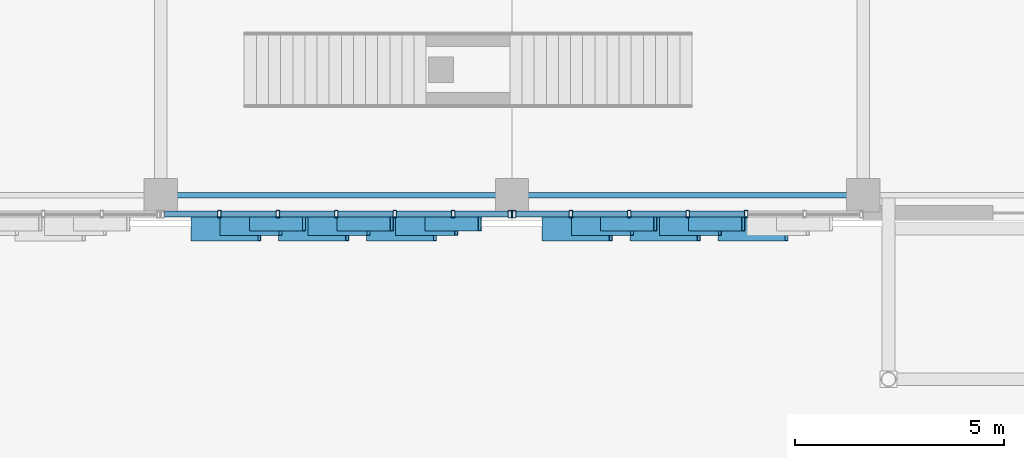
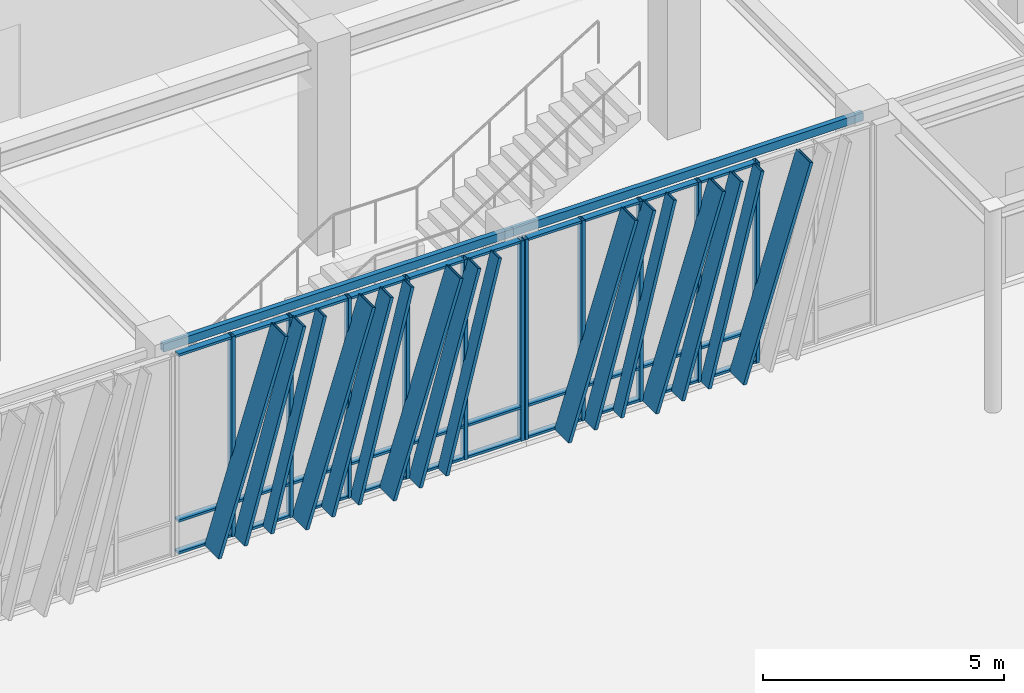
# One storey, part 11 of 122: 57 members, 2 beams, 2 elements without a shape of their own.
"""IFC4 building model written with IfcOpenShell, lengths in metres."""

from ifc_helpers import new_model, si_unit, direction, frame, origin, origin_2d, place, context, subcontext, project, spatial, hollow_rectangle, extrude, material, layer, layer_set, material_profile, profile_set, type_object, element, aggregate, save


model = new_model("IFC4")

# Units and contexts
model_context = context("Model", 3, precision=1e-05, world=origin(), true_north=direction((0.0, 1.0)))
body_context = subcontext(model_context, "Body", "Model", "MODEL_VIEW")
ifc_project = project(units=[si_unit("LENGTHUNIT", "METRE"), si_unit("AREAUNIT", "SQUARE_METRE"), si_unit("VOLUMEUNIT", "CUBIC_METRE"), si_unit("PLANEANGLEUNIT", "RADIAN"), si_unit("MASSUNIT", "GRAM", prefix="KILO")], contexts=[model_context])

# Site, building, storey
site_placement = place(None, origin())
site = spatial("IfcSite", under=ifc_project, at=site_placement, CompositionType="ELEMENT")
building_placement = place(site_placement, origin())
building = spatial("IfcBuilding", under=site, at=building_placement, Name="Zayran Congress Hotel", CompositionType="ELEMENT")
storey_placement = place(building_placement, origin())
storey = spatial("IfcBuildingStorey", under=building, at=storey_placement, Name="L00", CompositionType="ELEMENT", Elevation=0.0)

# Beams
ifc_material_1 = material(Name="Steel S355", Category="steel")
ifc_material_profile_1 = material_profile(ifc_material_1, hollow_rectangle(XDim=0.1201171875, YDim=0.199951171875, WallThickness=0.008056640625, at=origin_2d()), Name="RHS 200x120x8")
ifc_profile_set_1 = profile_set([ifc_material_profile_1], Name="Steel S355")
beam_type = type_object("IfcBeamType", Name="TP-SP-02", PredefinedType="SPANDREL", material=ifc_profile_set_1)
beam_1_placement = place(storey_placement, frame((42.0, 68.199951171875, 4.97998046875), z_axis=(1.0, 0.0, 0.0), x_axis=(0.0, 1.0, 0.0)))
element("IfcBeam", 1, at=beam_1_placement, inside=storey, type_object=beam_type, Name="BM-V1-L00-0393", PredefinedType="SPANDREL", context=body_context, shape_type="SweptSolid", body=[
    extrude(hollow_rectangle(XDim=0.1201171875, YDim=0.199951171875, WallThickness=0.008056640625, at=origin_2d()), origin(), (0.0, 0.0, 1.0), 8.39990234375),
])
beam_2_placement = place(storey_placement, frame((50.39990234375, 68.199951171875, 4.97998046875), z_axis=(1.0, 0.0, 0.0), x_axis=(0.0, 1.0, 0.0)))
element("IfcBeam", 2, at=beam_2_placement, inside=storey, type_object=beam_type, Name="BM-V1-L00-0394", PredefinedType="SPANDREL", context=body_context, shape_type="SweptSolid", body=[
    extrude(hollow_rectangle(XDim=0.1201171875, YDim=0.199951171875, WallThickness=0.008056640625, at=origin_2d()), origin(), (0.0, 0.0, 1.0), 8.400146484375),
])

# Curtain wall, members
ifc_material_2 = material(Name="Anodised aluminium and low-E insulated glass", Category="aluminium")
ifc_layer_1 = layer(ifc_material_2, 0.179931640625)
ifc_layer_set_1 = layer_set([ifc_layer_1], Name="Anodised aluminium and low-E insulated glass")
curtain_wall_type_1 = type_object("IfcCurtainWallType", Name="CW-V1S-L00-CW-12-8380-5080", PredefinedType="USERDEFINED", material=ifc_layer_set_1)
curtain_wall_1_placement = place(storey_placement, origin())
curtain_wall_1 = element("IfcCurtainWall", 3, at=curtain_wall_1_placement, inside=storey, type_object=curtain_wall_type_1, Name="CW-V1S-L00-4", ObjectType="CURTAIN WALL", PredefinedType="USERDEFINED")
ifc_material_3 = material(Name="Anodised aluminium framing", Category="aluminium")
ifc_material_profile_2 = material_profile(ifc_material_3, hollow_rectangle(XDim=0.080078125, YDim=0.179931640625, WallThickness=0.0048828125, at=origin_2d()), Name="RHS 180x80x5")
ifc_profile_set_2 = profile_set([ifc_material_profile_2], Name="Anodised aluminium framing")
member_type_1 = type_object("IfcMemberType", Name="TP-CWM-01", PredefinedType="MULLION", material=ifc_profile_set_2)
member_1_placement = place(storey_placement, frame((43.40673828125, 67.75, 0.0), z_axis=(0.0, 0.0, 1.0), x_axis=(1.0, 0.0, 0.0)))
member_1 = element("IfcMember", 4, at=member_1_placement, type_object=member_type_1, Name="CW-V1S-L00-4-M01", PredefinedType="MULLION", context=body_context, shape_type="SweptSolid", body=[
    extrude(hollow_rectangle(XDim=0.080078125, YDim=0.179931640625, WallThickness=0.0048828125, at=origin_2d()), origin(), (0.0, 0.0, 1.0), 5.080078125),
])
member_2_placement = place(storey_placement, frame((44.80322265625, 67.75, 0.0), z_axis=(0.0, 0.0, 1.0), x_axis=(1.0, 0.0, 0.0)))
member_2 = element("IfcMember", 5, at=member_2_placement, type_object=member_type_1, Name="CW-V1S-L00-4-M02", PredefinedType="MULLION", context=body_context, shape_type="SweptSolid", body=[
    extrude(hollow_rectangle(XDim=0.080078125, YDim=0.179931640625, WallThickness=0.0048828125, at=origin_2d()), origin(), (0.0, 0.0, 1.0), 5.080078125),
])
member_3_placement = place(storey_placement, frame((46.199951171875, 67.75, 0.0), z_axis=(0.0, 0.0, 1.0), x_axis=(1.0, 0.0, 0.0)))
member_3 = element("IfcMember", 6, at=member_3_placement, type_object=member_type_1, Name="CW-V1S-L00-4-M03", PredefinedType="MULLION", context=body_context, shape_type="SweptSolid", body=[
    extrude(hollow_rectangle(XDim=0.080078125, YDim=0.179931640625, WallThickness=0.0048828125, at=origin_2d()), origin(), (0.0, 0.0, 1.0), 5.080078125),
])
member_4_placement = place(storey_placement, frame((47.5966796875, 67.75, 0.0), z_axis=(0.0, 0.0, 1.0), x_axis=(1.0, 0.0, 0.0)))
member_4 = element("IfcMember", 7, at=member_4_placement, type_object=member_type_1, Name="CW-V1S-L00-4-M04", PredefinedType="MULLION", context=body_context, shape_type="SweptSolid", body=[
    extrude(hollow_rectangle(XDim=0.080078125, YDim=0.179931640625, WallThickness=0.0048828125, at=origin_2d()), origin(), (0.0, 0.0, 1.0), 5.080078125),
])
member_5_placement = place(storey_placement, frame((48.993408203125, 67.75, 0.0), z_axis=(0.0, 0.0, 1.0), x_axis=(1.0, 0.0, 0.0)))
member_5 = element("IfcMember", 8, at=member_5_placement, type_object=member_type_1, Name="CW-V1S-L00-4-M05", PredefinedType="MULLION", context=body_context, shape_type="SweptSolid", body=[
    extrude(hollow_rectangle(XDim=0.080078125, YDim=0.179931640625, WallThickness=0.0048828125, at=origin_2d()), origin(), (0.0, 0.0, 1.0), 5.080078125),
])
member_6_placement = place(storey_placement, frame((50.35009765625, 67.75, 0.0), z_axis=(0.0, 0.0, 1.0), x_axis=(1.0, 0.0, 0.0)))
member_6 = element("IfcMember", 9, at=member_6_placement, type_object=member_type_1, Name="CW-V1S-L00-4-M06", PredefinedType="MULLION", context=body_context, shape_type="SweptSolid", body=[
    extrude(hollow_rectangle(XDim=0.080078125, YDim=0.179931640625, WallThickness=0.0048828125, at=origin_2d()), origin(), (0.0, 0.0, 1.0), 5.080078125),
])

ifc_layer_2 = layer(ifc_material_2, 0.179931640625)
ifc_layer_set_2 = layer_set([ifc_layer_2], Name="Anodised aluminium and low-E insulated glass")
curtain_wall_type_2 = type_object("IfcCurtainWallType", Name="CW-V1S-L00-CW-13-8380-5080", PredefinedType="USERDEFINED", material=ifc_layer_set_2)
curtain_wall_2_placement = place(storey_placement, origin())
curtain_wall_2 = element("IfcCurtainWall", 10, at=curtain_wall_2_placement, inside=storey, type_object=curtain_wall_type_2, Name="CW-V1S-L00-5", ObjectType="CURTAIN WALL", PredefinedType="USERDEFINED")
member_7_placement = place(storey_placement, frame((50.449951171875, 67.75, 0.0), z_axis=(0.0, 0.0, 1.0), x_axis=(1.0, 0.0, 0.0)))
member_7 = element("IfcMember", 11, at=member_7_placement, type_object=member_type_1, Name="CW-V1S-L00-5-M00", PredefinedType="MULLION", context=body_context, shape_type="SweptSolid", body=[
    extrude(hollow_rectangle(XDim=0.080078125, YDim=0.179931640625, WallThickness=0.0048828125, at=origin_2d()), origin(), (0.0, 0.0, 1.0), 5.080078125),
])
member_8_placement = place(storey_placement, frame((51.806640625, 67.75, 0.0), z_axis=(0.0, 0.0, 1.0), x_axis=(1.0, 0.0, 0.0)))
member_8 = element("IfcMember", 12, at=member_8_placement, type_object=member_type_1, Name="CW-V1S-L00-5-M01", PredefinedType="MULLION", context=body_context, shape_type="SweptSolid", body=[
    extrude(hollow_rectangle(XDim=0.080078125, YDim=0.179931640625, WallThickness=0.0048828125, at=origin_2d()), origin(), (0.0, 0.0, 1.0), 5.080078125),
])
member_9_placement = place(storey_placement, frame((53.203369140625, 67.75, 0.0), z_axis=(0.0, 0.0, 1.0), x_axis=(1.0, 0.0, 0.0)))
member_9 = element("IfcMember", 13, at=member_9_placement, type_object=member_type_1, Name="CW-V1S-L00-5-M02", PredefinedType="MULLION", context=body_context, shape_type="SweptSolid", body=[
    extrude(hollow_rectangle(XDim=0.080078125, YDim=0.179931640625, WallThickness=0.0048828125, at=origin_2d()), origin(), (0.0, 0.0, 1.0), 5.080078125),
])
member_10_placement = place(storey_placement, frame((54.60009765625, 67.75, 0.0), z_axis=(0.0, 0.0, 1.0), x_axis=(1.0, 0.0, 0.0)))
member_10 = element("IfcMember", 14, at=member_10_placement, type_object=member_type_1, Name="CW-V1S-L00-5-M03", PredefinedType="MULLION", context=body_context, shape_type="SweptSolid", body=[
    extrude(hollow_rectangle(XDim=0.080078125, YDim=0.179931640625, WallThickness=0.0048828125, at=origin_2d()), origin(), (0.0, 0.0, 1.0), 5.080078125),
])
member_11_placement = place(storey_placement, frame((55.99658203125, 67.75, 0.0), z_axis=(0.0, 0.0, 1.0), x_axis=(1.0, 0.0, 0.0)))
member_11 = element("IfcMember", 15, at=member_11_placement, type_object=member_type_1, Name="CW-V1S-L00-5-M04", PredefinedType="MULLION", context=body_context, shape_type="SweptSolid", body=[
    extrude(hollow_rectangle(XDim=0.080078125, YDim=0.179931640625, WallThickness=0.0048828125, at=origin_2d()), origin(), (0.0, 0.0, 1.0), 5.080078125),
])

# Member
ifc_material_profile_3 = material_profile(ifc_material_3, hollow_rectangle(XDim=0.06005859375, YDim=0.14990234375, WallThickness=0.00390625, at=origin_2d()), Name="RHS 150x60x4")
ifc_profile_set_3 = profile_set([ifc_material_profile_3], Name="Anodised aluminium framing")
member_type_2 = type_object("IfcMemberType", Name="TP-CWT-01", PredefinedType="USERDEFINED", material=ifc_profile_set_3)
member_12_placement = place(storey_placement, frame((42.090087890625, 67.75, 0.030029296875), z_axis=(1.0, 0.0, 0.0), x_axis=(0.0, 0.0, 1.0)))
member_12 = element("IfcMember", 16, at=member_12_placement, type_object=member_type_2, Name="CW-V1S-L00-4-T00-0", ObjectType="TRANSOM", PredefinedType="USERDEFINED", context=body_context, shape_type="SweptSolid", body=[
    extrude(hollow_rectangle(XDim=0.06005859375, YDim=0.14990234375, WallThickness=0.00390625, at=origin_2d()), origin(), (0.0, 0.0, 1.0), 1.276611328125),
])

member_13_placement = place(storey_placement, frame((42.090087890625, 67.75, 0.840087890625), z_axis=(1.0, 0.0, 0.0), x_axis=(0.0, 0.0, 1.0)))
member_13 = element("IfcMember", 17, at=member_13_placement, type_object=member_type_2, Name="CW-V1S-L00-4-T00-1", ObjectType="TRANSOM", PredefinedType="USERDEFINED", context=body_context, shape_type="SweptSolid", body=[
    extrude(hollow_rectangle(XDim=0.06005859375, YDim=0.14990234375, WallThickness=0.00390625, at=origin_2d()), origin(), (0.0, 0.0, 1.0), 1.276611328125),
])

member_14_placement = place(storey_placement, frame((42.090087890625, 67.75, 5.050048828125), z_axis=(1.0, 0.0, 0.0), x_axis=(0.0, 0.0, 1.0)))
member_14 = element("IfcMember", 18, at=member_14_placement, type_object=member_type_2, Name="CW-V1S-L00-4-T00-2", ObjectType="TRANSOM", PredefinedType="USERDEFINED", context=body_context, shape_type="SweptSolid", body=[
    extrude(hollow_rectangle(XDim=0.06005859375, YDim=0.14990234375, WallThickness=0.00390625, at=origin_2d()), origin(), (0.0, 0.0, 1.0), 1.276611328125),
])

member_15_placement = place(storey_placement, frame((43.44677734375, 67.75, 0.030029296875), z_axis=(1.0, 0.0, 0.0), x_axis=(0.0, 0.0, 1.0)))
member_15 = element("IfcMember", 19, at=member_15_placement, type_object=member_type_2, Name="CW-V1S-L00-4-T01-0", ObjectType="TRANSOM", PredefinedType="USERDEFINED", context=body_context, shape_type="SweptSolid", body=[
    extrude(hollow_rectangle(XDim=0.06005859375, YDim=0.14990234375, WallThickness=0.00390625, at=origin_2d()), origin(), (0.0, 0.0, 1.0), 1.31640625),
])

member_16_placement = place(storey_placement, frame((43.44677734375, 67.75, 0.840087890625), z_axis=(1.0, 0.0, 0.0), x_axis=(0.0, 0.0, 1.0)))
member_16 = element("IfcMember", 20, at=member_16_placement, type_object=member_type_2, Name="CW-V1S-L00-4-T01-1", ObjectType="TRANSOM", PredefinedType="USERDEFINED", context=body_context, shape_type="SweptSolid", body=[
    extrude(hollow_rectangle(XDim=0.06005859375, YDim=0.14990234375, WallThickness=0.00390625, at=origin_2d()), origin(), (0.0, 0.0, 1.0), 1.31640625),
])

member_17_placement = place(storey_placement, frame((43.44677734375, 67.75, 5.050048828125), z_axis=(1.0, 0.0, 0.0), x_axis=(0.0, 0.0, 1.0)))
member_17 = element("IfcMember", 21, at=member_17_placement, type_object=member_type_2, Name="CW-V1S-L00-4-T01-2", ObjectType="TRANSOM", PredefinedType="USERDEFINED", context=body_context, shape_type="SweptSolid", body=[
    extrude(hollow_rectangle(XDim=0.06005859375, YDim=0.14990234375, WallThickness=0.00390625, at=origin_2d()), origin(), (0.0, 0.0, 1.0), 1.31640625),
])

member_18_placement = place(storey_placement, frame((44.84326171875, 67.75, 0.030029296875), z_axis=(1.0, 0.0, 0.0), x_axis=(0.0, 0.0, 1.0)))
member_18 = element("IfcMember", 22, at=member_18_placement, type_object=member_type_2, Name="CW-V1S-L00-4-T02-0", ObjectType="TRANSOM", PredefinedType="USERDEFINED", context=body_context, shape_type="SweptSolid", body=[
    extrude(hollow_rectangle(XDim=0.06005859375, YDim=0.14990234375, WallThickness=0.00390625, at=origin_2d()), origin(), (0.0, 0.0, 1.0), 1.316650390625),
])

member_19_placement = place(storey_placement, frame((44.84326171875, 67.75, 0.840087890625), z_axis=(1.0, 0.0, 0.0), x_axis=(0.0, 0.0, 1.0)))
member_19 = element("IfcMember", 23, at=member_19_placement, type_object=member_type_2, Name="CW-V1S-L00-4-T02-1", ObjectType="TRANSOM", PredefinedType="USERDEFINED", context=body_context, shape_type="SweptSolid", body=[
    extrude(hollow_rectangle(XDim=0.06005859375, YDim=0.14990234375, WallThickness=0.00390625, at=origin_2d()), origin(), (0.0, 0.0, 1.0), 1.316650390625),
])

member_20_placement = place(storey_placement, frame((44.84326171875, 67.75, 5.050048828125), z_axis=(1.0, 0.0, 0.0), x_axis=(0.0, 0.0, 1.0)))
member_20 = element("IfcMember", 24, at=member_20_placement, type_object=member_type_2, Name="CW-V1S-L00-4-T02-2", ObjectType="TRANSOM", PredefinedType="USERDEFINED", context=body_context, shape_type="SweptSolid", body=[
    extrude(hollow_rectangle(XDim=0.06005859375, YDim=0.14990234375, WallThickness=0.00390625, at=origin_2d()), origin(), (0.0, 0.0, 1.0), 1.316650390625),
])

member_21_placement = place(storey_placement, frame((46.239990234375, 67.75, 0.030029296875), z_axis=(1.0, 0.0, 0.0), x_axis=(0.0, 0.0, 1.0)))
member_21 = element("IfcMember", 25, at=member_21_placement, type_object=member_type_2, Name="CW-V1S-L00-4-T03-0", ObjectType="TRANSOM", PredefinedType="USERDEFINED", context=body_context, shape_type="SweptSolid", body=[
    extrude(hollow_rectangle(XDim=0.06005859375, YDim=0.14990234375, WallThickness=0.00390625, at=origin_2d()), origin(), (0.0, 0.0, 1.0), 1.316650390625),
])

member_22_placement = place(storey_placement, frame((46.239990234375, 67.75, 0.840087890625), z_axis=(1.0, 0.0, 0.0), x_axis=(0.0, 0.0, 1.0)))
member_22 = element("IfcMember", 26, at=member_22_placement, type_object=member_type_2, Name="CW-V1S-L00-4-T03-1", ObjectType="TRANSOM", PredefinedType="USERDEFINED", context=body_context, shape_type="SweptSolid", body=[
    extrude(hollow_rectangle(XDim=0.06005859375, YDim=0.14990234375, WallThickness=0.00390625, at=origin_2d()), origin(), (0.0, 0.0, 1.0), 1.316650390625),
])

member_23_placement = place(storey_placement, frame((46.239990234375, 67.75, 5.050048828125), z_axis=(1.0, 0.0, 0.0), x_axis=(0.0, 0.0, 1.0)))
member_23 = element("IfcMember", 27, at=member_23_placement, type_object=member_type_2, Name="CW-V1S-L00-4-T03-2", ObjectType="TRANSOM", PredefinedType="USERDEFINED", context=body_context, shape_type="SweptSolid", body=[
    extrude(hollow_rectangle(XDim=0.06005859375, YDim=0.14990234375, WallThickness=0.00390625, at=origin_2d()), origin(), (0.0, 0.0, 1.0), 1.316650390625),
])

member_24_placement = place(storey_placement, frame((47.63671875, 67.75, 0.030029296875), z_axis=(1.0, 0.0, 0.0), x_axis=(0.0, 0.0, 1.0)))
member_24 = element("IfcMember", 28, at=member_24_placement, type_object=member_type_2, Name="CW-V1S-L00-4-T04-0", ObjectType="TRANSOM", PredefinedType="USERDEFINED", context=body_context, shape_type="SweptSolid", body=[
    extrude(hollow_rectangle(XDim=0.06005859375, YDim=0.14990234375, WallThickness=0.00390625, at=origin_2d()), origin(), (0.0, 0.0, 1.0), 1.316650390625),
])

member_25_placement = place(storey_placement, frame((47.63671875, 67.75, 0.840087890625), z_axis=(1.0, 0.0, 0.0), x_axis=(0.0, 0.0, 1.0)))
member_25 = element("IfcMember", 29, at=member_25_placement, type_object=member_type_2, Name="CW-V1S-L00-4-T04-1", ObjectType="TRANSOM", PredefinedType="USERDEFINED", context=body_context, shape_type="SweptSolid", body=[
    extrude(hollow_rectangle(XDim=0.06005859375, YDim=0.14990234375, WallThickness=0.00390625, at=origin_2d()), origin(), (0.0, 0.0, 1.0), 1.316650390625),
])

member_26_placement = place(storey_placement, frame((47.63671875, 67.75, 5.050048828125), z_axis=(1.0, 0.0, 0.0), x_axis=(0.0, 0.0, 1.0)))
member_26 = element("IfcMember", 30, at=member_26_placement, type_object=member_type_2, Name="CW-V1S-L00-4-T04-2", ObjectType="TRANSOM", PredefinedType="USERDEFINED", context=body_context, shape_type="SweptSolid", body=[
    extrude(hollow_rectangle(XDim=0.06005859375, YDim=0.14990234375, WallThickness=0.00390625, at=origin_2d()), origin(), (0.0, 0.0, 1.0), 1.316650390625),
])

member_27_placement = place(storey_placement, frame((49.033203125, 67.75, 0.030029296875), z_axis=(1.0, 0.0, 0.0), x_axis=(0.0, 0.0, 1.0)))
member_27 = element("IfcMember", 31, at=member_27_placement, type_object=member_type_2, Name="CW-V1S-L00-4-T05-0", ObjectType="TRANSOM", PredefinedType="USERDEFINED", context=body_context, shape_type="SweptSolid", body=[
    extrude(hollow_rectangle(XDim=0.06005859375, YDim=0.14990234375, WallThickness=0.00390625, at=origin_2d()), origin(), (0.0, 0.0, 1.0), 1.27685546875),
])

member_28_placement = place(storey_placement, frame((49.033203125, 67.75, 0.840087890625), z_axis=(1.0, 0.0, 0.0), x_axis=(0.0, 0.0, 1.0)))
member_28 = element("IfcMember", 32, at=member_28_placement, type_object=member_type_2, Name="CW-V1S-L00-4-T05-1", ObjectType="TRANSOM", PredefinedType="USERDEFINED", context=body_context, shape_type="SweptSolid", body=[
    extrude(hollow_rectangle(XDim=0.06005859375, YDim=0.14990234375, WallThickness=0.00390625, at=origin_2d()), origin(), (0.0, 0.0, 1.0), 1.27685546875),
])

member_29_placement = place(storey_placement, frame((49.033203125, 67.75, 5.050048828125), z_axis=(1.0, 0.0, 0.0), x_axis=(0.0, 0.0, 1.0)))
member_29 = element("IfcMember", 33, at=member_29_placement, type_object=member_type_2, Name="CW-V1S-L00-4-T05-2", ObjectType="TRANSOM", PredefinedType="USERDEFINED", context=body_context, shape_type="SweptSolid", body=[
    extrude(hollow_rectangle(XDim=0.06005859375, YDim=0.14990234375, WallThickness=0.00390625, at=origin_2d()), origin(), (0.0, 0.0, 1.0), 1.27685546875),
])

member_30_placement = place(storey_placement, frame((50.489990234375, 67.75, 0.030029296875), z_axis=(1.0, 0.0, 0.0), x_axis=(0.0, 0.0, 1.0)))
member_30 = element("IfcMember", 34, at=member_30_placement, type_object=member_type_2, Name="CW-V1S-L00-5-T00-0", ObjectType="TRANSOM", PredefinedType="USERDEFINED", context=body_context, shape_type="SweptSolid", body=[
    extrude(hollow_rectangle(XDim=0.06005859375, YDim=0.14990234375, WallThickness=0.00390625, at=origin_2d()), origin(), (0.0, 0.0, 1.0), 1.276611328125),
])

member_31_placement = place(storey_placement, frame((50.489990234375, 67.75, 0.840087890625), z_axis=(1.0, 0.0, 0.0), x_axis=(0.0, 0.0, 1.0)))
member_31 = element("IfcMember", 35, at=member_31_placement, type_object=member_type_2, Name="CW-V1S-L00-5-T00-1", ObjectType="TRANSOM", PredefinedType="USERDEFINED", context=body_context, shape_type="SweptSolid", body=[
    extrude(hollow_rectangle(XDim=0.06005859375, YDim=0.14990234375, WallThickness=0.00390625, at=origin_2d()), origin(), (0.0, 0.0, 1.0), 1.276611328125),
])

member_32_placement = place(storey_placement, frame((50.489990234375, 67.75, 5.050048828125), z_axis=(1.0, 0.0, 0.0), x_axis=(0.0, 0.0, 1.0)))
member_32 = element("IfcMember", 36, at=member_32_placement, type_object=member_type_2, Name="CW-V1S-L00-5-T00-2", ObjectType="TRANSOM", PredefinedType="USERDEFINED", context=body_context, shape_type="SweptSolid", body=[
    extrude(hollow_rectangle(XDim=0.06005859375, YDim=0.14990234375, WallThickness=0.00390625, at=origin_2d()), origin(), (0.0, 0.0, 1.0), 1.276611328125),
])

member_33_placement = place(storey_placement, frame((51.8466796875, 67.75, 0.030029296875), z_axis=(1.0, 0.0, 0.0), x_axis=(0.0, 0.0, 1.0)))
member_33 = element("IfcMember", 37, at=member_33_placement, type_object=member_type_2, Name="CW-V1S-L00-5-T01-0", ObjectType="TRANSOM", PredefinedType="USERDEFINED", context=body_context, shape_type="SweptSolid", body=[
    extrude(hollow_rectangle(XDim=0.06005859375, YDim=0.14990234375, WallThickness=0.00390625, at=origin_2d()), origin(), (0.0, 0.0, 1.0), 1.316650390625),
])

member_34_placement = place(storey_placement, frame((51.8466796875, 67.75, 0.840087890625), z_axis=(1.0, 0.0, 0.0), x_axis=(0.0, 0.0, 1.0)))
member_34 = element("IfcMember", 38, at=member_34_placement, type_object=member_type_2, Name="CW-V1S-L00-5-T01-1", ObjectType="TRANSOM", PredefinedType="USERDEFINED", context=body_context, shape_type="SweptSolid", body=[
    extrude(hollow_rectangle(XDim=0.06005859375, YDim=0.14990234375, WallThickness=0.00390625, at=origin_2d()), origin(), (0.0, 0.0, 1.0), 1.316650390625),
])

member_35_placement = place(storey_placement, frame((51.8466796875, 67.75, 5.050048828125), z_axis=(1.0, 0.0, 0.0), x_axis=(0.0, 0.0, 1.0)))
member_35 = element("IfcMember", 39, at=member_35_placement, type_object=member_type_2, Name="CW-V1S-L00-5-T01-2", ObjectType="TRANSOM", PredefinedType="USERDEFINED", context=body_context, shape_type="SweptSolid", body=[
    extrude(hollow_rectangle(XDim=0.06005859375, YDim=0.14990234375, WallThickness=0.00390625, at=origin_2d()), origin(), (0.0, 0.0, 1.0), 1.316650390625),
])

member_36_placement = place(storey_placement, frame((53.243408203125, 67.75, 0.030029296875), z_axis=(1.0, 0.0, 0.0), x_axis=(0.0, 0.0, 1.0)))
member_36 = element("IfcMember", 40, at=member_36_placement, type_object=member_type_2, Name="CW-V1S-L00-5-T02-0", ObjectType="TRANSOM", PredefinedType="USERDEFINED", context=body_context, shape_type="SweptSolid", body=[
    extrude(hollow_rectangle(XDim=0.06005859375, YDim=0.14990234375, WallThickness=0.00390625, at=origin_2d()), origin(), (0.0, 0.0, 1.0), 1.316650390625),
])

member_37_placement = place(storey_placement, frame((53.243408203125, 67.75, 0.840087890625), z_axis=(1.0, 0.0, 0.0), x_axis=(0.0, 0.0, 1.0)))
member_37 = element("IfcMember", 41, at=member_37_placement, type_object=member_type_2, Name="CW-V1S-L00-5-T02-1", ObjectType="TRANSOM", PredefinedType="USERDEFINED", context=body_context, shape_type="SweptSolid", body=[
    extrude(hollow_rectangle(XDim=0.06005859375, YDim=0.14990234375, WallThickness=0.00390625, at=origin_2d()), origin(), (0.0, 0.0, 1.0), 1.316650390625),
])

member_38_placement = place(storey_placement, frame((53.243408203125, 67.75, 5.050048828125), z_axis=(1.0, 0.0, 0.0), x_axis=(0.0, 0.0, 1.0)))
member_38 = element("IfcMember", 42, at=member_38_placement, type_object=member_type_2, Name="CW-V1S-L00-5-T02-2", ObjectType="TRANSOM", PredefinedType="USERDEFINED", context=body_context, shape_type="SweptSolid", body=[
    extrude(hollow_rectangle(XDim=0.06005859375, YDim=0.14990234375, WallThickness=0.00390625, at=origin_2d()), origin(), (0.0, 0.0, 1.0), 1.316650390625),
])

member_39_placement = place(storey_placement, frame((54.639892578125, 67.75, 0.030029296875), z_axis=(1.0, 0.0, 0.0), x_axis=(0.0, 0.0, 1.0)))
member_39 = element("IfcMember", 43, at=member_39_placement, type_object=member_type_2, Name="CW-V1S-L00-5-T03-0", ObjectType="TRANSOM", PredefinedType="USERDEFINED", context=body_context, shape_type="SweptSolid", body=[
    extrude(hollow_rectangle(XDim=0.06005859375, YDim=0.14990234375, WallThickness=0.00390625, at=origin_2d()), origin(), (0.0, 0.0, 1.0), 1.31689453125),
])

member_40_placement = place(storey_placement, frame((54.639892578125, 67.75, 0.840087890625), z_axis=(1.0, 0.0, 0.0), x_axis=(0.0, 0.0, 1.0)))
member_40 = element("IfcMember", 44, at=member_40_placement, type_object=member_type_2, Name="CW-V1S-L00-5-T03-1", ObjectType="TRANSOM", PredefinedType="USERDEFINED", context=body_context, shape_type="SweptSolid", body=[
    extrude(hollow_rectangle(XDim=0.06005859375, YDim=0.14990234375, WallThickness=0.00390625, at=origin_2d()), origin(), (0.0, 0.0, 1.0), 1.31689453125),
])

member_41_placement = place(storey_placement, frame((54.639892578125, 67.75, 5.050048828125), z_axis=(1.0, 0.0, 0.0), x_axis=(0.0, 0.0, 1.0)))
member_41 = element("IfcMember", 45, at=member_41_placement, type_object=member_type_2, Name="CW-V1S-L00-5-T03-2", ObjectType="TRANSOM", PredefinedType="USERDEFINED", context=body_context, shape_type="SweptSolid", body=[
    extrude(hollow_rectangle(XDim=0.06005859375, YDim=0.14990234375, WallThickness=0.00390625, at=origin_2d()), origin(), (0.0, 0.0, 1.0), 1.31689453125),
])

ifc_material_4 = material(Name="Warm bronze anodised aluminium", Category="aluminium")
ifc_material_profile_4 = material_profile(ifc_material_4, hollow_rectangle(XDim=0.080078125, YDim=0.580078125, WallThickness=0.006103515625, at=origin_2d()), Name="RHS 580x80x6")
ifc_profile_set_4 = profile_set([ifc_material_profile_4], Name="Warm bronze anodised aluminium")
member_type_3 = type_object("IfcMemberType", Name="TP-RFN-01", PredefinedType="MULLION", material=ifc_profile_set_4)
member_42_placement = place(storey_placement, frame((42.760009765625, 67.39990234375, 0.0), z_axis=(0.300716755525, 0.0, 0.953713496259), x_axis=(-0.953713496259, 0.0, 0.300716755525)))
member_42 = element("IfcMember", 46, at=member_42_placement, type_object=member_type_3, Name="Slanting Reed Mullion CW-12-01", PredefinedType="MULLION", context=body_context, shape_type="SweptSolid", body=[
    extrude(hollow_rectangle(XDim=0.080078125, YDim=0.580078125, WallThickness=0.006103515625, at=origin_2d()), origin(), (0.0, 0.0, 1.0), 5.32666015625),
])

member_43_placement = place(storey_placement, frame((44.860107421875, 67.39990234375, 0.0), z_axis=(0.300675065474, 0.0, 0.953726640606), x_axis=(-0.953726640606, 0.0, 0.300675065474)))
member_43 = element("IfcMember", 47, at=member_43_placement, type_object=member_type_3, Name="Slanting Reed Mullion CW-12-04", PredefinedType="MULLION", context=body_context, shape_type="SweptSolid", body=[
    extrude(hollow_rectangle(XDim=0.080078125, YDim=0.580078125, WallThickness=0.006103515625, at=origin_2d()), origin(), (0.0, 0.0, 1.0), 5.32666015625),
])

member_44_placement = place(storey_placement, frame((46.9599609375, 67.39990234375, 0.0), z_axis=(0.300716755525, 0.0, 0.953713496259), x_axis=(-0.953713496259, 0.0, 0.300716755525)))
member_44 = element("IfcMember", 48, at=member_44_placement, type_object=member_type_3, Name="Slanting Reed Mullion CW-12-07", PredefinedType="MULLION", context=body_context, shape_type="SweptSolid", body=[
    extrude(hollow_rectangle(XDim=0.080078125, YDim=0.580078125, WallThickness=0.006103515625, at=origin_2d()), origin(), (0.0, 0.0, 1.0), 5.32666015625),
])

member_45_placement = place(storey_placement, frame((51.159912109375, 67.39990234375, 0.0), z_axis=(0.300716755525, 0.0, 0.953713496259), x_axis=(-0.953713496259, 0.0, 0.300716755525)))
member_45 = element("IfcMember", 49, at=member_45_placement, type_object=member_type_3, Name="Slanting Reed Mullion CW-13-01", PredefinedType="MULLION", context=body_context, shape_type="SweptSolid", body=[
    extrude(hollow_rectangle(XDim=0.080078125, YDim=0.580078125, WallThickness=0.006103515625, at=origin_2d()), origin(), (0.0, 0.0, 1.0), 5.32666015625),
])

member_46_placement = place(storey_placement, frame((53.260009765625, 67.39990234375, 0.0), z_axis=(0.300716755525, 0.0, 0.953713496259), x_axis=(-0.953713496259, 0.0, 0.300716755525)))
member_46 = element("IfcMember", 50, at=member_46_placement, type_object=member_type_3, Name="Slanting Reed Mullion CW-13-04", PredefinedType="MULLION", context=body_context, shape_type="SweptSolid", body=[
    extrude(hollow_rectangle(XDim=0.080078125, YDim=0.580078125, WallThickness=0.006103515625, at=origin_2d()), origin(), (0.0, 0.0, 1.0), 5.32666015625),
])

member_47_placement = place(storey_placement, frame((55.360107421875, 67.39990234375, 0.0), z_axis=(0.300675065474, 0.0, 0.953726640606), x_axis=(-0.953726640606, 0.0, 0.300675065474)))
member_47 = element("IfcMember", 51, at=member_47_placement, type_object=member_type_3, Name="Slanting Reed Mullion CW-13-07", PredefinedType="MULLION", context=body_context, shape_type="SweptSolid", body=[
    extrude(hollow_rectangle(XDim=0.080078125, YDim=0.580078125, WallThickness=0.006103515625, at=origin_2d()), origin(), (0.0, 0.0, 1.0), 5.32666015625),
])

ifc_material_profile_5 = material_profile(ifc_material_4, hollow_rectangle(XDim=0.080078125, YDim=0.449951171875, WallThickness=0.006103515625, at=origin_2d()), Name="RHS 450x80x6")
ifc_profile_set_5 = profile_set([ifc_material_profile_5], Name="Warm bronze anodised aluminium")
member_type_4 = type_object("IfcMemberType", Name="TP-RFN-02", PredefinedType="MULLION", material=ifc_profile_set_5)
member_48_placement = place(storey_placement, frame((43.4599609375, 67.465087890625, 0.0), z_axis=(0.267256905477, 0.0, 0.96362531436), x_axis=(-0.96362531436, 0.0, 0.267256905477)))
member_48 = element("IfcMember", 52, at=member_48_placement, type_object=member_type_4, Name="Slanting Reed Mullion CW-12-02", PredefinedType="MULLION", context=body_context, shape_type="SweptSolid", body=[
    extrude(hollow_rectangle(XDim=0.080078125, YDim=0.449951171875, WallThickness=0.006103515625, at=origin_2d()), origin(), (0.0, 0.0, 1.0), 5.271728515625),
])

member_49_placement = place(storey_placement, frame((45.56005859375, 67.465087890625, 0.0), z_axis=(0.267213902124, 0.0, 0.963637240102), x_axis=(-0.963637240102, 0.0, 0.267213902124)))
member_49 = element("IfcMember", 53, at=member_49_placement, type_object=member_type_4, Name="Slanting Reed Mullion CW-12-05", PredefinedType="MULLION", context=body_context, shape_type="SweptSolid", body=[
    extrude(hollow_rectangle(XDim=0.080078125, YDim=0.449951171875, WallThickness=0.006103515625, at=origin_2d()), origin(), (0.0, 0.0, 1.0), 5.271728515625),
])

member_50_placement = place(storey_placement, frame((47.659912109375, 67.465087890625, 0.0), z_axis=(0.267256905477, 0.0, 0.96362531436), x_axis=(-0.96362531436, 0.0, 0.267256905477)))
member_50 = element("IfcMember", 54, at=member_50_placement, type_object=member_type_4, Name="Slanting Reed Mullion CW-12-08", PredefinedType="MULLION", context=body_context, shape_type="SweptSolid", body=[
    extrude(hollow_rectangle(XDim=0.080078125, YDim=0.449951171875, WallThickness=0.006103515625, at=origin_2d()), origin(), (0.0, 0.0, 1.0), 5.271728515625),
])

member_51_placement = place(storey_placement, frame((51.860107421875, 67.465087890625, 0.0), z_axis=(0.267213902124, 0.0, 0.963637240102), x_axis=(-0.963637240102, 0.0, 0.267213902124)))
member_51 = element("IfcMember", 55, at=member_51_placement, type_object=member_type_4, Name="Slanting Reed Mullion CW-13-02", PredefinedType="MULLION", context=body_context, shape_type="SweptSolid", body=[
    extrude(hollow_rectangle(XDim=0.080078125, YDim=0.449951171875, WallThickness=0.006103515625, at=origin_2d()), origin(), (0.0, 0.0, 1.0), 5.271728515625),
])

member_52_placement = place(storey_placement, frame((53.9599609375, 67.465087890625, 0.0), z_axis=(0.267256905477, 0.0, 0.96362531436), x_axis=(-0.96362531436, 0.0, 0.267256905477)))
member_52 = element("IfcMember", 56, at=member_52_placement, type_object=member_type_4, Name="Slanting Reed Mullion CW-13-05", PredefinedType="MULLION", context=body_context, shape_type="SweptSolid", body=[
    extrude(hollow_rectangle(XDim=0.080078125, YDim=0.449951171875, WallThickness=0.006103515625, at=origin_2d()), origin(), (0.0, 0.0, 1.0), 5.271728515625),
])

ifc_material_profile_6 = material_profile(ifc_material_4, hollow_rectangle(XDim=0.080078125, YDim=0.340087890625, WallThickness=0.006103515625, at=origin_2d()), Name="RHS 340x80x6")
ifc_profile_set_6 = profile_set([ifc_material_profile_6], Name="Warm bronze anodised aluminium")
member_type_5 = type_object("IfcMemberType", Name="TP-RFN-03", PredefinedType="MULLION", material=ifc_profile_set_6)
member_53_placement = place(storey_placement, frame((44.159912109375, 67.52001953125, 0.0), z_axis=(0.241921145618, 0.0, 0.970295913267), x_axis=(-0.970295913267, 0.0, 0.241921145618)))
member_53 = element("IfcMember", 57, at=member_53_placement, type_object=member_type_5, Name="Slanting Reed Mullion CW-12-03", PredefinedType="MULLION", context=body_context, shape_type="SweptSolid", body=[
    extrude(hollow_rectangle(XDim=0.080078125, YDim=0.340087890625, WallThickness=0.006103515625, at=origin_2d()), origin(), (0.0, 0.0, 1.0), 5.235595703125),
])

member_54_placement = place(storey_placement, frame((46.260009765625, 67.52001953125, 0.0), z_axis=(0.241921145618, 0.0, 0.970295913267), x_axis=(-0.970295913267, 0.0, 0.241921145618)))
member_54 = element("IfcMember", 58, at=member_54_placement, type_object=member_type_5, Name="Slanting Reed Mullion CW-12-06", PredefinedType="MULLION", context=body_context, shape_type="SweptSolid", body=[
    extrude(hollow_rectangle(XDim=0.080078125, YDim=0.340087890625, WallThickness=0.006103515625, at=origin_2d()), origin(), (0.0, 0.0, 1.0), 5.235595703125),
])

member_55_placement = place(storey_placement, frame((48.360107421875, 67.52001953125, 0.0), z_axis=(0.241921145618, 0.0, 0.970295913267), x_axis=(-0.970295913267, 0.0, 0.241921145618)))
member_55 = element("IfcMember", 59, at=member_55_placement, type_object=member_type_5, Name="Slanting Reed Mullion CW-12-09", PredefinedType="MULLION", context=body_context, shape_type="SweptSolid", body=[
    extrude(hollow_rectangle(XDim=0.080078125, YDim=0.340087890625, WallThickness=0.006103515625, at=origin_2d()), origin(), (0.0, 0.0, 1.0), 5.235595703125),
])

aggregate(curtain_wall_1, [member_1, member_2, member_3, member_4, member_5, member_6, member_12, member_13, member_14, member_15, member_16, member_17, member_18, member_19, member_20, member_21, member_22, member_23, member_24, member_25, member_26, member_27, member_28, member_29, member_42, member_48, member_53, member_43, member_49, member_54, member_44, member_50, member_55])

member_56_placement = place(storey_placement, frame((52.56005859375, 67.52001953125, 0.0), z_axis=(0.241921145618, 0.0, 0.970295913267), x_axis=(-0.970295913267, 0.0, 0.241921145618)))
member_56 = element("IfcMember", 60, at=member_56_placement, type_object=member_type_5, Name="Slanting Reed Mullion CW-13-03", PredefinedType="MULLION", context=body_context, shape_type="SweptSolid", body=[
    extrude(hollow_rectangle(XDim=0.080078125, YDim=0.340087890625, WallThickness=0.006103515625, at=origin_2d()), origin(), (0.0, 0.0, 1.0), 5.235595703125),
])

member_57_placement = place(storey_placement, frame((54.659912109375, 67.52001953125, 0.0), z_axis=(0.241921145618, 0.0, 0.970295913267), x_axis=(-0.970295913267, 0.0, 0.241921145618)))
member_57 = element("IfcMember", 61, at=member_57_placement, type_object=member_type_5, Name="Slanting Reed Mullion CW-13-06", PredefinedType="MULLION", context=body_context, shape_type="SweptSolid", body=[
    extrude(hollow_rectangle(XDim=0.080078125, YDim=0.340087890625, WallThickness=0.006103515625, at=origin_2d()), origin(), (0.0, 0.0, 1.0), 5.235595703125),
])

aggregate(curtain_wall_2, [member_7, member_8, member_9, member_10, member_11, member_30, member_31, member_32, member_33, member_34, member_35, member_36, member_37, member_38, member_39, member_40, member_41, member_45, member_51, member_56, member_46, member_52, member_57, member_47])

save(model, "model.ifc")
